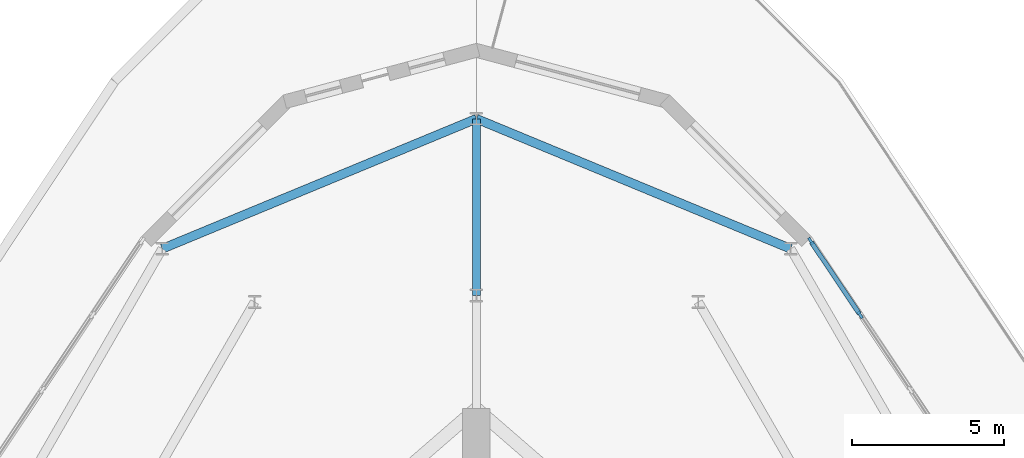
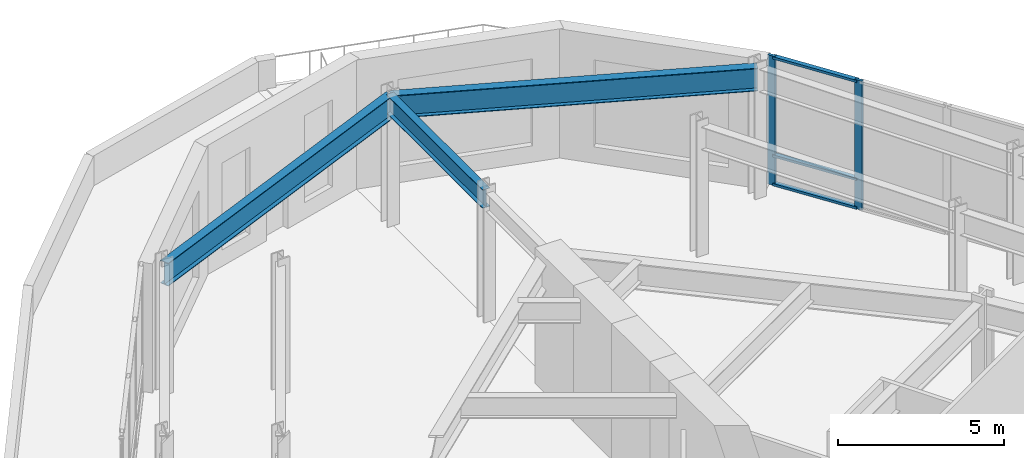
# One storey, part 9 of 20: 5 members, 3 beams, 1 element without a shape of its own.
"""IFC4 building model written with IfcOpenShell, lengths in metres."""

from ifc_helpers import new_model, si_unit, direction, frame, origin, origin_2d, place, context, subcontext, project, spatial, rectangle, i_section, extrude, material, material_profile, profile_set, type_object, element, aggregate, save


model = new_model("IFC4")

# Units and contexts
model_context = context("Model", 3, precision=1e-05, world=origin(), true_north=direction((0.0, 1.0)))
body_context = subcontext(model_context, "Body", "Model", "MODEL_VIEW")
ifc_project = project(units=[si_unit("LENGTHUNIT", "METRE"), si_unit("AREAUNIT", "SQUARE_METRE"), si_unit("VOLUMEUNIT", "CUBIC_METRE"), si_unit("PLANEANGLEUNIT", "RADIAN"), si_unit("MASSUNIT", "GRAM", prefix="KILO")], contexts=[model_context])

# Site, building, storey
site_placement = place(None, origin())
site = spatial("IfcSite", under=ifc_project, at=site_placement, CompositionType="ELEMENT")
building_placement = place(site_placement, origin())
building = spatial("IfcBuilding", under=site, at=building_placement, Name="Trikona Tower", CompositionType="ELEMENT")
storey_placement = place(building_placement, frame((0.0, 0.0, 6.0)))
storey = spatial("IfcBuildingStorey", under=building, at=storey_placement, Name="L01", CompositionType="ELEMENT", Elevation=6.0)

# Curtain wall, members
ifc_material_1 = material(Name="Aluminium curtain wall system", Category="aluminium")
curtain_wall_type = type_object("IfcCurtainWallType", Name="Curtain wall PD", PredefinedType="NOTDEFINED", material=ifc_material_1)
curtain_wall_placement = place(storey_placement, origin())
curtain_wall = element("IfcCurtainWall", 1, at=curtain_wall_placement, inside=storey, type_object=curtain_wall_type, Name="Curtain wall PD L01", PredefinedType="NOTDEFINED")
ifc_material_2 = material(Name="Aluminium mullion, pale anodised", Category="aluminium")
ifc_material_profile_1 = material_profile(ifc_material_2, rectangle(XDim=0.090087890625, YDim=0.25, at=origin_2d()), Name="MUL-PD")
ifc_profile_set_1 = profile_set([ifc_material_profile_1], Name="Aluminium mullion, pale anodised")
member_type_1 = type_object("IfcMemberType", Name="Mullion PD 90x250", PredefinedType="MULLION", material=ifc_profile_set_1)
member_1_placement = place(storey_placement, frame((12.601318359375, 34.95751953125, 0.0), z_axis=(0.0, 0.0, 1.0), x_axis=(-0.830852165155, -0.556493198213, 0.0)))
member_1 = element("IfcMember", 2, at=member_1_placement, type_object=member_type_1, Name="CW-PD mullion 3", PredefinedType="MULLION", context=body_context, shape_type="SweptSolid", body=[
    extrude(rectangle(XDim=0.090087890625, YDim=0.25, at=origin_2d()), origin(), (0.0, 0.0, 1.0), 4.75),
])
member_2_placement = place(storey_placement, frame((10.975341796875, 37.385009765625, 0.0), z_axis=(0.0, 0.0, 1.0), x_axis=(-0.830852165155, -0.556493198213, 0.0)))
member_2 = element("IfcMember", 3, at=member_2_placement, type_object=member_type_1, Name="CW-PD mullion 4", PredefinedType="MULLION", context=body_context, shape_type="SweptSolid", body=[
    extrude(rectangle(XDim=0.090087890625, YDim=0.25, at=origin_2d()), origin(), (0.0, 0.0, 1.0), 4.75),
])

# Beams
ifc_material_3 = material(Name="Steel ASTM A992 Grade 50", Category="steel")
ifc_material_profile_2 = material_profile(ifc_material_3, i_section(OverallWidth=0.25390625, OverallDepth=0.683349609375, WebThickness=0.012451171875, FlangeThickness=0.01904296875, at=origin_2d()), Name="W27X94")
ifc_profile_set_2 = profile_set([ifc_material_profile_2], Name="Steel ASTM A992 Grade 50")
beam_type_1 = type_object("IfcBeamType", Name="Steel beam W27x94 (pod radial)", PredefinedType="BEAM", material=ifc_profile_set_2)
beam_placement = place(storey_placement, frame((0.0, 35.60009765625, 4.408447265625), z_axis=(0.0, 1.0, 0.0), x_axis=(-1.0, 0.0, 0.0)))
element("IfcBeam", 4, at=beam_placement, inside=storey, type_object=beam_type_1, Name="Podium beam L02 CB10", PredefinedType="BEAM", context=body_context, shape_type="SweptSolid", body=[
    extrude(i_section(OverallWidth=0.25390625, OverallDepth=0.683349609375, WebThickness=0.012451171875, FlangeThickness=0.01904296875, at=origin_2d()), origin(), (0.0, 0.0, 1.0), 5.7998046875),
])
ifc_material_4 = material(Name="Steel ASTM A992 Grade 50", Category="steel")
ifc_material_profile_3 = material_profile(ifc_material_4, i_section(OverallWidth=0.2919921875, OverallDepth=0.845703125, WebThickness=0.015380859375, FlangeThickness=0.0244140625, at=origin_2d()), Name="W33X141")
ifc_profile_set_3 = profile_set([ifc_material_profile_3], Name="Steel ASTM A992 Grade 50")
beam_type_2 = type_object("IfcBeamType", Name="Steel beam W33x141 (pod girder)", PredefinedType="BEAM", material=ifc_profile_set_3)
for number, where, z_axis, x_axis, name in (
    (5, (0.0, 41.39990234375, 4.3271484375), (0.924063185091, -0.382239754551, 0.0), (0.382239754551, 0.924063185091, 0.0), "Podium beam L02 CK1D41.4-R27.5F1p27"),
    (6, (0.0, 41.39990234375, 4.3271484375), (-0.924063185091, -0.382239754551, 0.0), (0.382239754551, -0.924063185091, 0.0), "Podium beam L02 CK1D41.4-R27.5F2m27"),
):
    element("IfcBeam", number, at=place(storey_placement, frame(where, z_axis=z_axis, x_axis=x_axis)), inside=storey, type_object=beam_type_2, Name=name, PredefinedType="BEAM", context=body_context, shape_type="SweptSolid", body=[
        extrude(i_section(OverallWidth=0.2919921875, OverallDepth=0.845703125, WebThickness=0.015380859375, FlangeThickness=0.0244140625, at=origin_2d()), origin(), (0.0, 0.0, 1.0), 11.163330078125),
    ])

# Member
ifc_material_5 = material(Name="Aluminium transom, pale anodised", Category="aluminium")
ifc_material_profile_4 = material_profile(ifc_material_5, rectangle(XDim=0.14990234375, YDim=0.090087890625, at=origin_2d()), Name="TRN-PD")
ifc_profile_set_4 = profile_set([ifc_material_profile_4], Name="Aluminium transom, pale anodised")
member_type_2 = type_object("IfcMemberType", Name="Transom PD 90x150", PredefinedType="USERDEFINED", material=ifc_profile_set_4)
member_3_placement = place(storey_placement, frame((12.576171875, 34.994873046875, 0.044921875), z_axis=(-0.556489717674, 0.830854496361, 0.0), x_axis=(-0.830854496361, -0.556489717674, 0.0)))
member_3 = element("IfcMember", 7, at=member_3_placement, type_object=member_type_2, Name="CW-PD transom 3.1", ObjectType="TRANSOM", PredefinedType="USERDEFINED", context=body_context, shape_type="SweptSolid", body=[
    extrude(rectangle(XDim=0.14990234375, YDim=0.090087890625, at=origin_2d()), origin(), (0.0, 0.0, 1.0), 2.83154296875),
])

member_4_placement = place(storey_placement, frame((12.576171875, 34.994873046875, 1.10009765625), z_axis=(-0.556489717674, 0.830854496361, 0.0), x_axis=(-0.830854496361, -0.556489717674, 0.0)))
member_4 = element("IfcMember", 8, at=member_4_placement, type_object=member_type_2, Name="CW-PD transom 3.2", ObjectType="TRANSOM", PredefinedType="USERDEFINED", context=body_context, shape_type="SweptSolid", body=[
    extrude(rectangle(XDim=0.14990234375, YDim=0.090087890625, at=origin_2d()), origin(), (0.0, 0.0, 1.0), 2.83154296875),
])

member_5_placement = place(storey_placement, frame((12.576171875, 34.994873046875, 4.705078125), z_axis=(-0.556489717674, 0.830854496361, 0.0), x_axis=(-0.830854496361, -0.556489717674, 0.0)))
member_5 = element("IfcMember", 9, at=member_5_placement, type_object=member_type_2, Name="CW-PD transom 3.3", ObjectType="TRANSOM", PredefinedType="USERDEFINED", context=body_context, shape_type="SweptSolid", body=[
    extrude(rectangle(XDim=0.14990234375, YDim=0.090087890625, at=origin_2d()), origin(), (0.0, 0.0, 1.0), 2.83154296875),
])

aggregate(curtain_wall, [member_1, member_2, member_3, member_4, member_5])

save(model, "model.ifc")
